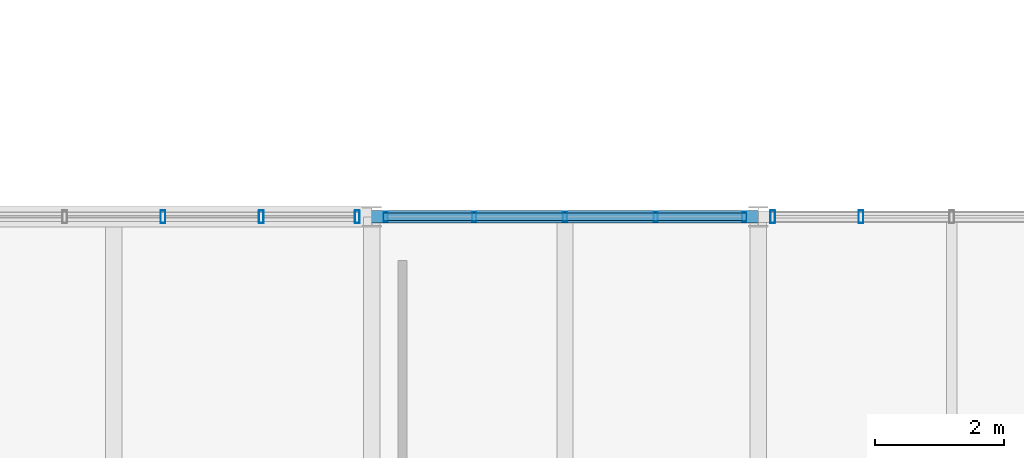
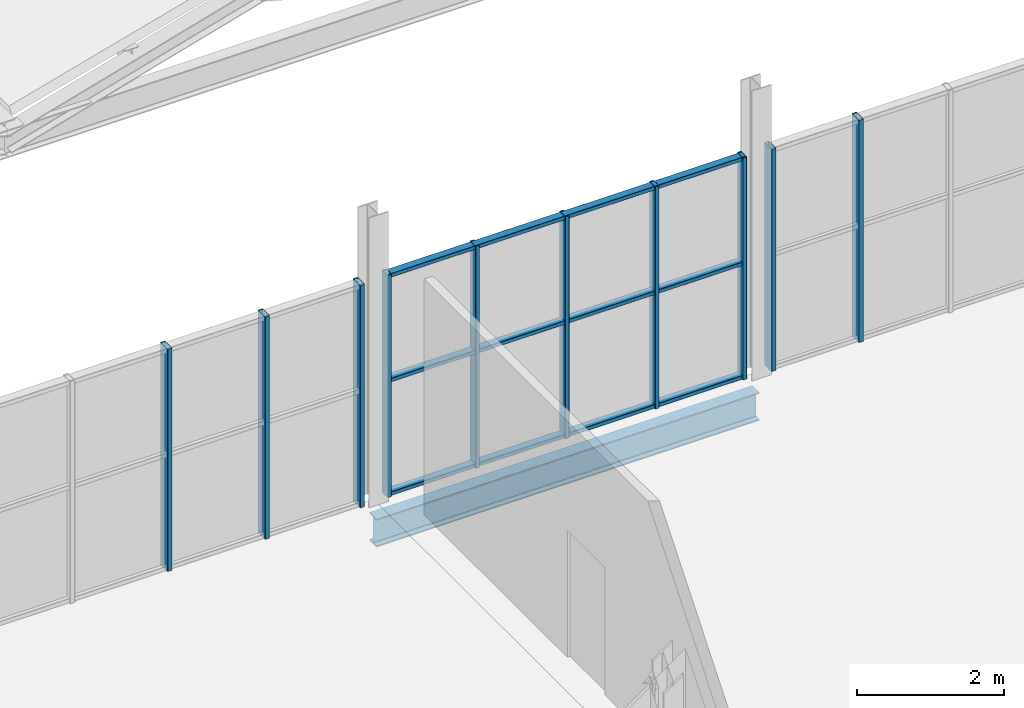
# One storey, part 73 of 114: 13 members, 1 beam, 3 elements without a shape of their own.
"""IFC4 building model written with IfcOpenShell, lengths in metres."""

from ifc_helpers import new_model, si_unit, direction, frame, origin, origin_2d, place, context, subcontext, project, spatial, hollow_rectangle, i_section, extrude, material, material_profile, profile_set, type_object, element, aggregate, save


model = new_model("IFC4")

# Units and contexts
model_context = context("Model", 3, precision=1e-05, world=origin(), true_north=direction((0.0, 1.0)))
body_context = subcontext(model_context, "Body", "Model", "MODEL_VIEW")
ifc_project = project(units=[si_unit("LENGTHUNIT", "METRE"), si_unit("AREAUNIT", "SQUARE_METRE"), si_unit("VOLUMEUNIT", "CUBIC_METRE"), si_unit("PLANEANGLEUNIT", "RADIAN"), si_unit("MASSUNIT", "GRAM", prefix="KILO")], contexts=[model_context])

# Site, building, storey
site_placement = place(None, origin())
site = spatial("IfcSite", under=ifc_project, at=site_placement, CompositionType="ELEMENT")
building_placement = place(site_placement, origin())
building = spatial("IfcBuilding", under=site, at=building_placement, Name="Verrall Gate Interchange", CompositionType="ELEMENT")
storey_placement = place(building_placement, frame((0.0, 0.0, 6.60009765625)))
storey = spatial("IfcBuildingStorey", under=building, at=storey_placement, Name="L02", CompositionType="ELEMENT", Elevation=6.60009765625)

# Beam
ifc_material_1 = material(Name="Structural Steel CSA G40.21 350W", Category="steel")
ifc_material_profile_1 = material_profile(ifc_material_1, i_section(OverallWidth=0.19189453125, OverallDepth=0.462890625, WebThickness=0.010498046875, FlangeThickness=0.017578125, FilletRadius=0.012939453125, at=origin_2d()), Name="W460x89")
ifc_profile_set_1 = profile_set([ifc_material_profile_1], Name="Structural Steel CSA G40.21 350W")
beam_type = type_object("IfcBeamType", Name="B-11 Structural Beam W460x89", PredefinedType="BEAM", material=ifc_profile_set_1)
beam_placement = place(storey_placement, frame((132.0, 56.0, -0.51171875), z_axis=(1.0, 0.0, 0.0), x_axis=(0.0, 1.0, 0.0)))
element("IfcBeam", 1, at=beam_placement, inside=storey, type_object=beam_type, Name="L02 Girder BM-L02-1604 (B-11)", PredefinedType="BEAM", context=body_context, shape_type="SweptSolid", body=[
    extrude(i_section(OverallWidth=0.19189453125, OverallDepth=0.462890625, WebThickness=0.010498046875, FlangeThickness=0.017578125, FilletRadius=0.012939453125, at=origin_2d()), origin(), (0.0, 0.0, 1.0), 6.0),
])

# Curtain wall, members
ifc_material_2 = material(Name="Thermally Broken Anodized Aluminium Curtain Wall Framing", Category="aluminium")
curtain_wall_type_1 = type_object("IfcCurtainWallType", Name="CW-28 Unitized Curtain Wall 5629x3680", PredefinedType="NOTDEFINED", material=ifc_material_2)
curtain_wall_1_placement = place(storey_placement, origin())
curtain_wall_1 = element("IfcCurtainWall", 2, at=curtain_wall_1_placement, inside=storey, type_object=curtain_wall_type_1, Name="L02 Unitized Curtain Wall CW-L02-100", PredefinedType="NOTDEFINED")
ifc_material_3 = material(Name="Thermally Broken Anodized Aluminium Curtain Wall Framing", Category="aluminium")
ifc_material_profile_2 = material_profile(ifc_material_3, hollow_rectangle(XDim=0.06494140625, YDim=0.159912109375, WallThickness=0.00390625, InnerFilletRadius=0.00390625, OuterFilletRadius=0.008056640625, at=origin_2d()), Name="CWM160x65x4")
ifc_profile_set_2 = profile_set([ifc_material_profile_2], Name="Thermally Broken Anodized Aluminium Curtain Wall Framing")
member_type_1 = type_object("IfcMemberType", Name="CM-01 Curtain Mullion CWM160x65x4", PredefinedType="MULLION", material=ifc_profile_set_2)
member_1_placement = place(storey_placement, frame((137.781982421875, 56.0, 0.0), z_axis=(0.0, 0.0, 1.0), x_axis=(-1.0, 0.0, 0.0)))
member_1 = element("IfcMember", 3, at=member_1_placement, type_object=member_type_1, Name="CW-L02-100 Mullion 1", PredefinedType="MULLION", context=body_context, shape_type="SweptSolid", body=[
    extrude(hollow_rectangle(XDim=0.06494140625, YDim=0.159912109375, WallThickness=0.00390625, InnerFilletRadius=0.00390625, OuterFilletRadius=0.008056640625, at=origin_2d()), origin(), (0.0, 0.0, 1.0), 3.679931640625),
])
member_2_placement = place(storey_placement, frame((136.4072265625, 56.0, 0.0), z_axis=(0.0, 0.0, 1.0), x_axis=(-1.0, 0.0, 0.0)))
member_2 = element("IfcMember", 4, at=member_2_placement, type_object=member_type_1, Name="CW-L02-100 Mullion 2", PredefinedType="MULLION", context=body_context, shape_type="SweptSolid", body=[
    extrude(hollow_rectangle(XDim=0.06494140625, YDim=0.159912109375, WallThickness=0.00390625, InnerFilletRadius=0.00390625, OuterFilletRadius=0.008056640625, at=origin_2d()), origin(), (0.0, 0.0, 1.0), 3.679931640625),
])
member_3_placement = place(storey_placement, frame((135.0, 56.0, 0.0), z_axis=(0.0, 0.0, 1.0), x_axis=(-1.0, 0.0, 0.0)))
member_3 = element("IfcMember", 5, at=member_3_placement, type_object=member_type_1, Name="CW-L02-100 Mullion 3", PredefinedType="MULLION", context=body_context, shape_type="SweptSolid", body=[
    extrude(hollow_rectangle(XDim=0.06494140625, YDim=0.159912109375, WallThickness=0.00390625, InnerFilletRadius=0.00390625, OuterFilletRadius=0.008056640625, at=origin_2d()), origin(), (0.0, 0.0, 1.0), 3.679931640625),
])
member_4_placement = place(storey_placement, frame((133.5927734375, 56.0, 0.0), z_axis=(0.0, 0.0, 1.0), x_axis=(-1.0, 0.0, 0.0)))
member_4 = element("IfcMember", 6, at=member_4_placement, type_object=member_type_1, Name="CW-L02-100 Mullion 4", PredefinedType="MULLION", context=body_context, shape_type="SweptSolid", body=[
    extrude(hollow_rectangle(XDim=0.06494140625, YDim=0.159912109375, WallThickness=0.00390625, InnerFilletRadius=0.00390625, OuterFilletRadius=0.008056640625, at=origin_2d()), origin(), (0.0, 0.0, 1.0), 3.679931640625),
])
member_5_placement = place(storey_placement, frame((132.218017578125, 56.0, 0.0), z_axis=(0.0, 0.0, 1.0), x_axis=(-1.0, 0.0, 0.0)))
member_5 = element("IfcMember", 7, at=member_5_placement, type_object=member_type_1, Name="CW-L02-100 Mullion 5", PredefinedType="MULLION", context=body_context, shape_type="SweptSolid", body=[
    extrude(hollow_rectangle(XDim=0.06494140625, YDim=0.159912109375, WallThickness=0.00390625, InnerFilletRadius=0.00390625, OuterFilletRadius=0.008056640625, at=origin_2d()), origin(), (0.0, 0.0, 1.0), 3.679931640625),
])

ifc_material_4 = material(Name="Thermally Broken Anodized Aluminium Curtain Wall Framing", Category="aluminium")
curtain_wall_type_2 = type_object("IfcCurtainWallType", Name="CW-21 Unitized Curtain Wall 7631x3680", PredefinedType="NOTDEFINED", material=ifc_material_4)
curtain_wall_2_placement = place(storey_placement, origin())
curtain_wall_2 = element("IfcCurtainWall", 8, at=curtain_wall_2_placement, inside=storey, type_object=curtain_wall_type_2, Name="L02 Unitized Curtain Wall CW-L02-073", PredefinedType="NOTDEFINED")
ifc_material_5 = material(Name="Thermally Broken Anodized Aluminium Curtain Wall Framing", Category="aluminium")
ifc_material_profile_3 = material_profile(ifc_material_5, hollow_rectangle(XDim=0.074951171875, YDim=0.199951171875, WallThickness=0.0048828125, InnerFilletRadius=0.0048828125, OuterFilletRadius=0.010009765625, at=origin_2d()), Name="CWM200x75x5")
ifc_profile_set_3 = profile_set([ifc_material_profile_3], Name="Thermally Broken Anodized Aluminium Curtain Wall Framing")
member_type_2 = type_object("IfcMemberType", Name="CM-02 Curtain Mullion CWM200x75x5", PredefinedType="MULLION", material=ifc_profile_set_3)
member_6_placement = place(storey_placement, frame((131.777099609375, 56.0, 0.0), z_axis=(0.0, 0.0, 1.0), x_axis=(-1.0, 0.0, 0.0)))
member_6 = element("IfcMember", 9, at=member_6_placement, type_object=member_type_2, Name="CW-L02-073 Mullion 1", PredefinedType="MULLION", context=body_context, shape_type="SweptSolid", body=[
    extrude(hollow_rectangle(XDim=0.074951171875, YDim=0.199951171875, WallThickness=0.0048828125, InnerFilletRadius=0.0048828125, OuterFilletRadius=0.010009765625, at=origin_2d()), origin(), (0.0, 0.0, 1.0), 3.679931640625),
])
member_7_placement = place(storey_placement, frame((130.28857421875, 56.0, 0.0), z_axis=(0.0, 0.0, 1.0), x_axis=(-1.0, 0.0, 0.0)))
member_7 = element("IfcMember", 10, at=member_7_placement, type_object=member_type_2, Name="CW-L02-073 Mullion 2", PredefinedType="MULLION", context=body_context, shape_type="SweptSolid", body=[
    extrude(hollow_rectangle(XDim=0.074951171875, YDim=0.199951171875, WallThickness=0.0048828125, InnerFilletRadius=0.0048828125, OuterFilletRadius=0.010009765625, at=origin_2d()), origin(), (0.0, 0.0, 1.0), 3.679931640625),
])
member_8_placement = place(storey_placement, frame((128.762451171875, 56.0, 0.0), z_axis=(0.0, 0.0, 1.0), x_axis=(-1.0, 0.0, 0.0)))
member_8 = element("IfcMember", 11, at=member_8_placement, type_object=member_type_2, Name="CW-L02-073 Mullion 3", PredefinedType="MULLION", context=body_context, shape_type="SweptSolid", body=[
    extrude(hollow_rectangle(XDim=0.074951171875, YDim=0.199951171875, WallThickness=0.0048828125, InnerFilletRadius=0.0048828125, OuterFilletRadius=0.010009765625, at=origin_2d()), origin(), (0.0, 0.0, 1.0), 3.679931640625),
])
aggregate(curtain_wall_2, [member_6, member_7, member_8])

curtain_wall_3_placement = place(storey_placement, origin())
curtain_wall_3 = element("IfcCurtainWall", 12, at=curtain_wall_3_placement, inside=storey, type_object=curtain_wall_type_1, Name="L02 Unitized Curtain Wall CW-L02-099", PredefinedType="NOTDEFINED")
member_9_placement = place(storey_placement, frame((139.5927734375, 56.0, 0.0), z_axis=(0.0, 0.0, 1.0), x_axis=(-1.0, 0.0, 0.0)))
member_9 = element("IfcMember", 13, at=member_9_placement, type_object=member_type_2, Name="CW-L02-099 Mullion 4", PredefinedType="MULLION", context=body_context, shape_type="SweptSolid", body=[
    extrude(hollow_rectangle(XDim=0.074951171875, YDim=0.199951171875, WallThickness=0.0048828125, InnerFilletRadius=0.0048828125, OuterFilletRadius=0.010009765625, at=origin_2d()), origin(), (0.0, 0.0, 1.0), 3.679931640625),
])
member_10_placement = place(storey_placement, frame((138.222900390625, 56.0, 0.0), z_axis=(0.0, 0.0, 1.0), x_axis=(-1.0, 0.0, 0.0)))
member_10 = element("IfcMember", 14, at=member_10_placement, type_object=member_type_2, Name="CW-L02-099 Mullion 5", PredefinedType="MULLION", context=body_context, shape_type="SweptSolid", body=[
    extrude(hollow_rectangle(XDim=0.074951171875, YDim=0.199951171875, WallThickness=0.0048828125, InnerFilletRadius=0.0048828125, OuterFilletRadius=0.010009765625, at=origin_2d()), origin(), (0.0, 0.0, 1.0), 3.679931640625),
])
aggregate(curtain_wall_3, [member_9, member_10])

# Member
ifc_material_6 = material(Name="Thermally Broken Anodized Aluminium Curtain Wall Framing", Category="aluminium")
ifc_material_profile_4 = material_profile(ifc_material_6, hollow_rectangle(XDim=0.1201171875, YDim=0.06494140625, WallThickness=0.00390625, InnerFilletRadius=0.00390625, OuterFilletRadius=0.008056640625, at=origin_2d()), Name="CWT120x65x4")
ifc_profile_set_4 = profile_set([ifc_material_profile_4], Name="Thermally Broken Anodized Aluminium Curtain Wall Framing")
member_type_3 = type_object("IfcMemberType", Name="CT-01 Curtain Transom CWT120x65x4", PredefinedType="USERDEFINED", material=ifc_profile_set_4)
member_11_placement = place(storey_placement, frame((137.814453125, 56.0, 0.032470703125), z_axis=(-1.0, 0.0, 0.0), x_axis=(0.0, -1.0, 0.0)))
member_11 = element("IfcMember", 15, at=member_11_placement, type_object=member_type_3, Name="CW-L02-100 Transom 1", ObjectType="TRANSOM", PredefinedType="USERDEFINED", context=body_context, shape_type="SweptSolid", body=[
    extrude(hollow_rectangle(XDim=0.1201171875, YDim=0.06494140625, WallThickness=0.00390625, InnerFilletRadius=0.00390625, OuterFilletRadius=0.008056640625, at=origin_2d()), origin(), (0.0, 0.0, 1.0), 5.62890625),
])

member_12_placement = place(storey_placement, frame((137.814453125, 56.0, 1.91357421875), z_axis=(-1.0, 0.0, 0.0), x_axis=(0.0, -1.0, 0.0)))
member_12 = element("IfcMember", 16, at=member_12_placement, type_object=member_type_3, Name="CW-L02-100 Transom 2", ObjectType="TRANSOM", PredefinedType="USERDEFINED", context=body_context, shape_type="SweptSolid", body=[
    extrude(hollow_rectangle(XDim=0.1201171875, YDim=0.06494140625, WallThickness=0.00390625, InnerFilletRadius=0.00390625, OuterFilletRadius=0.008056640625, at=origin_2d()), origin(), (0.0, 0.0, 1.0), 5.62890625),
])

member_13_placement = place(storey_placement, frame((137.814453125, 56.0, 3.6474609375), z_axis=(-1.0, 0.0, 0.0), x_axis=(0.0, -1.0, 0.0)))
member_13 = element("IfcMember", 17, at=member_13_placement, type_object=member_type_3, Name="CW-L02-100 Transom 3", ObjectType="TRANSOM", PredefinedType="USERDEFINED", context=body_context, shape_type="SweptSolid", body=[
    extrude(hollow_rectangle(XDim=0.1201171875, YDim=0.06494140625, WallThickness=0.00390625, InnerFilletRadius=0.00390625, OuterFilletRadius=0.008056640625, at=origin_2d()), origin(), (0.0, 0.0, 1.0), 5.62890625),
])

aggregate(curtain_wall_1, [member_1, member_2, member_3, member_4, member_5, member_11, member_12, member_13])

save(model, "model.ifc")
